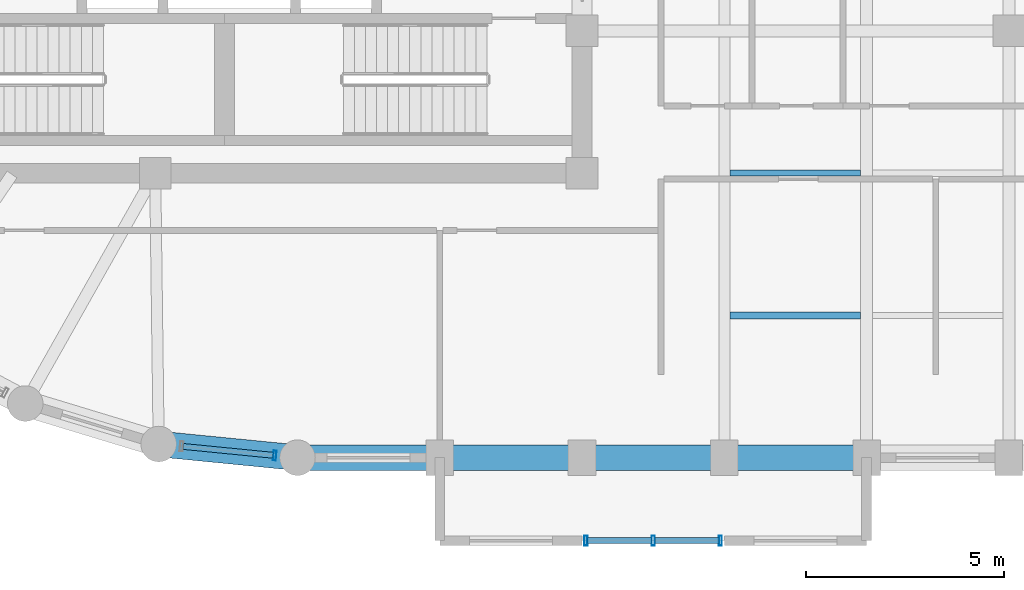
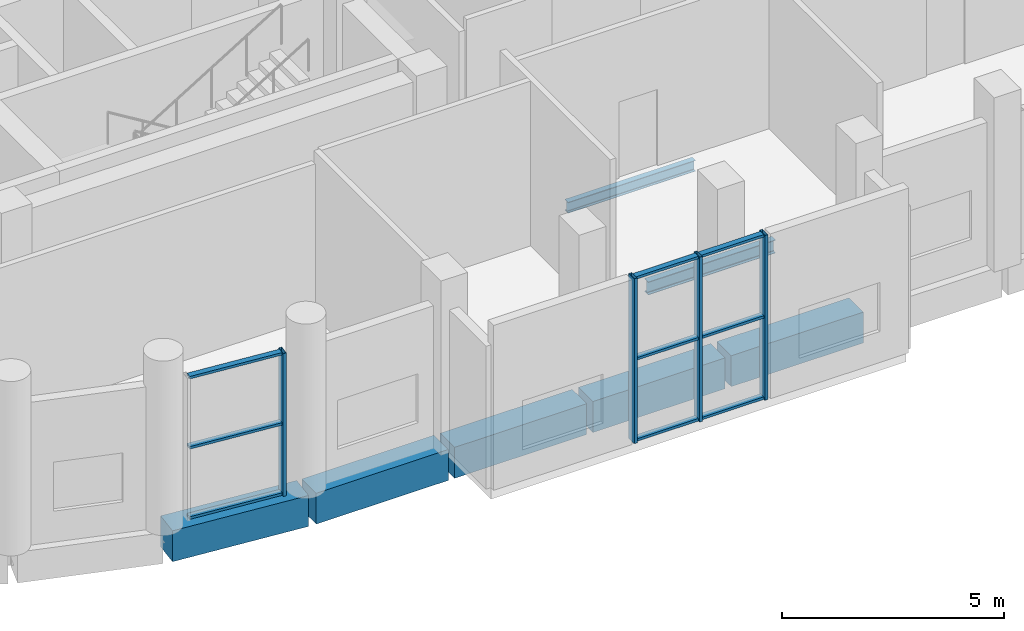
# One storey, part 3 of 16: 13 members, 7 beams, 2 elements without a shape of their own.
"""IFC4 building model written with IfcOpenShell, lengths in metres."""

from ifc_helpers import new_model, si_unit, direction, frame, origin, origin_2d, place, context, subcontext, project, spatial, rectangle, hollow_rectangle, i_section, extrude, material, layer, layer_set, material_profile, profile_set, type_object, element, aggregate, save


model = new_model("IFC4")

# Units and contexts
model_context = context("Model", 3, precision=1e-05, world=origin(), true_north=direction((0.0, 1.0)))
body_context = subcontext(model_context, "Body", "Model", "MODEL_VIEW")
ifc_project = project(units=[si_unit("LENGTHUNIT", "METRE"), si_unit("AREAUNIT", "SQUARE_METRE"), si_unit("VOLUMEUNIT", "CUBIC_METRE"), si_unit("PLANEANGLEUNIT", "RADIAN"), si_unit("MASSUNIT", "GRAM", prefix="KILO")], contexts=[model_context])

# Site, building, storey
site_placement = place(None, origin())
site = spatial("IfcSite", under=ifc_project, at=site_placement, CompositionType="ELEMENT")
building_placement = place(site_placement, origin())
building = spatial("IfcBuilding", under=site, at=building_placement, Name="Solnavia Interchange Tower", CompositionType="ELEMENT")
storey_placement = place(building_placement, frame((0.0, 0.0, 209.0)))
storey = spatial("IfcBuildingStorey", under=building, at=storey_placement, Name="L52", CompositionType="ELEMENT", Elevation=209.0)

# Beams
ifc_material_1 = material(Name="Steel S355", Category="steel")
ifc_material_profile_1 = material_profile(ifc_material_1, i_section(OverallWidth=0.14990234375, OverallDepth=0.300048828125, WebThickness=0.007080078125, FlangeThickness=0.0107421875, FilletRadius=0.014892578125, at=origin_2d()), Name="IPE 300")
ifc_profile_set_1 = profile_set([ifc_material_profile_1], Name="Steel S355")
beam_type_1 = type_object("IfcBeamType", Name="Beam-Joist-IPE300", PredefinedType="JOIST", material=ifc_profile_set_1)
beam_1_placement = place(storey_placement, frame((36.139892578125, 10.800048828125, -0.469970703125), z_axis=(1.0, 0.0, 0.0), x_axis=(0.0, 1.0, 0.0)))
element("IfcBeam", 1, at=beam_1_placement, inside=storey, type_object=beam_type_1, Name="JST-L52-E03 East wing secondary joist", PredefinedType="JOIST", context=body_context, shape_type="SweptSolid", body=[
    extrude(i_section(OverallWidth=0.14990234375, OverallDepth=0.300048828125, WebThickness=0.007080078125, FlangeThickness=0.0107421875, FilletRadius=0.014892578125, at=origin_2d()), origin(), (0.0, 0.0, 1.0), 3.31005859375),
])
ifc_material_profile_2 = material_profile(ifc_material_1, i_section(OverallWidth=0.169921875, OverallDepth=0.360107421875, WebThickness=0.008056640625, FlangeThickness=0.0126953125, FilletRadius=0.01806640625, at=origin_2d()), Name="IPE 360")
ifc_profile_set_2 = profile_set([ifc_material_profile_2], Name="Steel S355")
beam_type_2 = type_object("IfcBeamType", Name="Beam-Joist-IPE360", PredefinedType="JOIST", material=ifc_profile_set_2)
beam_2_placement = place(storey_placement, frame((36.139892578125, 7.199951171875, -0.5), z_axis=(1.0, 0.0, 0.0), x_axis=(0.0, 1.0, 0.0)))
element("IfcBeam", 2, at=beam_2_placement, inside=storey, type_object=beam_type_2, Name="JST-L52-E01 East wing secondary joist", PredefinedType="JOIST", context=body_context, shape_type="SweptSolid", body=[
    extrude(i_section(OverallWidth=0.169921875, OverallDepth=0.360107421875, WebThickness=0.008056640625, FlangeThickness=0.0126953125, FilletRadius=0.01806640625, at=origin_2d()), origin(), (0.0, 0.0, 1.0), 3.31005859375),
])
ifc_material_2 = material(Name="Concrete C50/60", Category="concrete")
ifc_material_profile_3 = material_profile(ifc_material_2, rectangle(XDim=0.64990234375, YDim=0.85009765625, at=origin_2d()), Name="RC 650x850")
ifc_profile_set_3 = profile_set([ifc_material_profile_3], Name="Concrete C50/60")
beam_type_3 = type_object("IfcBeamType", Name="Beam-Spandrel-RC650x850", PredefinedType="SPANDREL", material=ifc_profile_set_3)
beam_3_placement = place(storey_placement, frame((21.767578125, 3.938232421875, -0.425048828125), z_axis=(0.995181774609, -0.098047108501, 0.0), x_axis=(0.098047108501, 0.995181774609, 0.0)))
element("IfcBeam", 3, at=beam_3_placement, inside=storey, type_object=beam_type_3, Name="SPB-L52-08 Framed-tube perimeter spandrel beam", PredefinedType="SPANDREL", context=body_context, shape_type="SweptSolid", body=[
    extrude(rectangle(XDim=0.64990234375, YDim=0.85009765625, at=origin_2d()), origin(), (0.0, 0.0, 1.0), 3.368896484375),
])
beam_4_placement = place(storey_placement, frame((25.280029296875, 3.60009765625, -0.425048828125), z_axis=(1.0, 0.0, 0.0), x_axis=(0.0, 1.0, 0.0)))
element("IfcBeam", 4, at=beam_4_placement, inside=storey, type_object=beam_type_3, Name="SPB-L52-09 Framed-tube perimeter spandrel beam", PredefinedType="SPANDREL", context=body_context, shape_type="SweptSolid", body=[
    extrude(rectangle(XDim=0.64990234375, YDim=0.85009765625, at=origin_2d()), origin(), (0.0, 0.0, 1.0), 3.43994140625),
])
beam_5_placement = place(storey_placement, frame((28.8798828125, 3.60009765625, -0.425048828125), z_axis=(1.0, 0.0, 0.0), x_axis=(0.0, 1.0, 0.0)))
element("IfcBeam", 5, at=beam_5_placement, inside=storey, type_object=beam_type_3, Name="SPB-L52-10 Framed-tube perimeter spandrel beam", PredefinedType="SPANDREL", context=body_context, shape_type="SweptSolid", body=[
    extrude(rectangle(XDim=0.64990234375, YDim=0.85009765625, at=origin_2d()), origin(), (0.0, 0.0, 1.0), 3.440185546875),
])
for number, where, z_axis, x_axis, name in (
    (6, (32.47998046875, 3.60009765625, -0.425048828125), (1.0, 0.0, 0.0), (0.0, 1.0, 0.0), "SPB-L52-11 Framed-tube perimeter spandrel beam"),
    (7, (36.080078125, 3.60009765625, -0.425048828125), (1.0, 0.0, 0.0), (0.0, 1.0, 0.0), "SPB-L52-12 Framed-tube perimeter spandrel beam"),
):
    element("IfcBeam", number, at=place(storey_placement, frame(where, z_axis=z_axis, x_axis=x_axis)), inside=storey, type_object=beam_type_3, Name=name, PredefinedType="SPANDREL", context=body_context, shape_type="SweptSolid", body=[
        extrude(rectangle(XDim=0.64990234375, YDim=0.85009765625, at=origin_2d()), origin(), (0.0, 0.0, 1.0), 3.43994140625),
    ])

# Curtain wall, members
ifc_material_3 = material(Name="Aluminium Alloy 6063-T6", Category="aluminium")
ifc_layer = layer(ifc_material_3, 0.27001953125)
ifc_layer_set = layer_set([ifc_layer], Name="Aluminium Alloy 6063-T6")
curtain_wall_type = type_object("IfcCurtainWallType", Name="CurtainWall-SkyLobby-CTW4", PredefinedType="NOTDEFINED", material=ifc_layer_set)
curtain_wall_1_placement = place(storey_placement, origin())
curtain_wall_1 = element("IfcCurtainWall", 8, at=curtain_wall_1_placement, inside=storey, type_object=curtain_wall_type, Name="CTW-L52-S04 CTW-4 curtain wall", PredefinedType="NOTDEFINED")
ifc_material_profile_4 = material_profile(ifc_material_3, hollow_rectangle(XDim=0.080078125, YDim=0.25, WallThickness=0.006103515625, at=origin_2d()), Name="ALU 250x80x6")
ifc_profile_set_4 = profile_set([ifc_material_profile_4], Name="Aluminium Alloy 6063-T6")
member_type_1 = type_object("IfcMemberType", Name="CW-Mullion-CWM-4", PredefinedType="MULLION", material=ifc_profile_set_4)
member_1_placement = place(storey_placement, frame((32.5, 1.5, 0.0), z_axis=(0.0, 0.0, 1.0), x_axis=(1.0, 0.0, 0.0)))
member_1 = element("IfcMember", 9, at=member_1_placement, type_object=member_type_1, Name="CTW-4 mullion 1", PredefinedType="MULLION", context=body_context, shape_type="SweptSolid", body=[
    extrude(hollow_rectangle(XDim=0.080078125, YDim=0.25, WallThickness=0.006103515625, at=origin_2d()), origin(), (0.0, 0.0, 1.0), 4.534912109375),
])
member_2_placement = place(storey_placement, frame((34.199951171875, 1.5, 0.0), z_axis=(0.0, 0.0, 1.0), x_axis=(1.0, 0.0, 0.0)))
member_2 = element("IfcMember", 10, at=member_2_placement, type_object=member_type_1, Name="CTW-4 mullion 2", PredefinedType="MULLION", context=body_context, shape_type="SweptSolid", body=[
    extrude(hollow_rectangle(XDim=0.080078125, YDim=0.25, WallThickness=0.006103515625, at=origin_2d()), origin(), (0.0, 0.0, 1.0), 4.534912109375),
])
member_3_placement = place(storey_placement, frame((35.89990234375, 1.5, 0.0), z_axis=(0.0, 0.0, 1.0), x_axis=(1.0, 0.0, 0.0)))
member_3 = element("IfcMember", 11, at=member_3_placement, type_object=member_type_1, Name="CTW-4 mullion 3", PredefinedType="MULLION", context=body_context, shape_type="SweptSolid", body=[
    extrude(hollow_rectangle(XDim=0.080078125, YDim=0.25, WallThickness=0.006103515625, at=origin_2d()), origin(), (0.0, 0.0, 1.0), 4.534912109375),
])

# Curtain wall, member
curtain_wall_2_placement = place(storey_placement, origin())
curtain_wall_2 = element("IfcCurtainWall", 12, at=curtain_wall_2_placement, inside=storey, type_object=curtain_wall_type, Name="CTW-L52-S52 CTW-4 curtain wall", PredefinedType="NOTDEFINED")
member_4_placement = place(storey_placement, frame((24.622802734375, 3.65673828125, 0.0), z_axis=(0.0, 0.0, 1.0), x_axis=(0.995178481157, -0.098080531415, 0.0)))
member_4 = element("IfcMember", 13, at=member_4_placement, type_object=member_type_1, Name="CTW-4 mullion 2", PredefinedType="MULLION", context=body_context, shape_type="SweptSolid", body=[
    extrude(hollow_rectangle(XDim=0.080078125, YDim=0.25, WallThickness=0.006103515625, at=origin_2d()), origin(), (0.0, 0.0, 1.0), 3.929931640625),
])

# Member
ifc_material_profile_5 = material_profile(ifc_material_3, hollow_rectangle(XDim=0.070068359375, YDim=0.14990234375, WallThickness=0.00439453125, at=origin_2d()), Name="ALU 150x70x4.5")
ifc_profile_set_5 = profile_set([ifc_material_profile_5], Name="Aluminium Alloy 6063-T6")
member_type_2 = type_object("IfcMemberType", Name="CW-Transom-CWT-4", PredefinedType="USERDEFINED", material=ifc_profile_set_5)
member_5_placement = place(storey_placement, frame((32.5400390625, 1.5, 0.034912109375), z_axis=(1.0, 0.0, 0.0), x_axis=(0.0, 0.0, 1.0)))
member_5 = element("IfcMember", 14, at=member_5_placement, type_object=member_type_2, Name="CTW-4 transom 1.1", ObjectType="TRANSOM", PredefinedType="USERDEFINED", context=body_context, shape_type="SweptSolid", body=[
    extrude(hollow_rectangle(XDim=0.070068359375, YDim=0.14990234375, WallThickness=0.00439453125, at=origin_2d()), origin(), (0.0, 0.0, 1.0), 1.619873046875),
])

member_6_placement = place(storey_placement, frame((32.5400390625, 1.5, 2.26708984375), z_axis=(1.0, 0.0, 0.0), x_axis=(0.0, 0.0, 1.0)))
member_6 = element("IfcMember", 15, at=member_6_placement, type_object=member_type_2, Name="CTW-4 transom 1.2", ObjectType="TRANSOM", PredefinedType="USERDEFINED", context=body_context, shape_type="SweptSolid", body=[
    extrude(hollow_rectangle(XDim=0.070068359375, YDim=0.14990234375, WallThickness=0.00439453125, at=origin_2d()), origin(), (0.0, 0.0, 1.0), 1.619873046875),
])

member_7_placement = place(storey_placement, frame((32.5400390625, 1.5, 4.5), z_axis=(1.0, 0.0, 0.0), x_axis=(0.0, 0.0, 1.0)))
member_7 = element("IfcMember", 16, at=member_7_placement, type_object=member_type_2, Name="CTW-4 transom 1.3", ObjectType="TRANSOM", PredefinedType="USERDEFINED", context=body_context, shape_type="SweptSolid", body=[
    extrude(hollow_rectangle(XDim=0.070068359375, YDim=0.14990234375, WallThickness=0.00439453125, at=origin_2d()), origin(), (0.0, 0.0, 1.0), 1.619873046875),
])

member_8_placement = place(storey_placement, frame((34.239990234375, 1.5, 0.034912109375), z_axis=(1.0, 0.0, 0.0), x_axis=(0.0, 0.0, 1.0)))
member_8 = element("IfcMember", 17, at=member_8_placement, type_object=member_type_2, Name="CTW-4 transom 2.1", ObjectType="TRANSOM", PredefinedType="USERDEFINED", context=body_context, shape_type="SweptSolid", body=[
    extrude(hollow_rectangle(XDim=0.070068359375, YDim=0.14990234375, WallThickness=0.00439453125, at=origin_2d()), origin(), (0.0, 0.0, 1.0), 1.6201171875),
])

member_9_placement = place(storey_placement, frame((34.239990234375, 1.5, 2.26708984375), z_axis=(1.0, 0.0, 0.0), x_axis=(0.0, 0.0, 1.0)))
member_9 = element("IfcMember", 18, at=member_9_placement, type_object=member_type_2, Name="CTW-4 transom 2.2", ObjectType="TRANSOM", PredefinedType="USERDEFINED", context=body_context, shape_type="SweptSolid", body=[
    extrude(hollow_rectangle(XDim=0.070068359375, YDim=0.14990234375, WallThickness=0.00439453125, at=origin_2d()), origin(), (0.0, 0.0, 1.0), 1.6201171875),
])

member_10_placement = place(storey_placement, frame((34.239990234375, 1.5, 4.5), z_axis=(1.0, 0.0, 0.0), x_axis=(0.0, 0.0, 1.0)))
member_10 = element("IfcMember", 19, at=member_10_placement, type_object=member_type_2, Name="CTW-4 transom 2.3", ObjectType="TRANSOM", PredefinedType="USERDEFINED", context=body_context, shape_type="SweptSolid", body=[
    extrude(hollow_rectangle(XDim=0.070068359375, YDim=0.14990234375, WallThickness=0.00439453125, at=origin_2d()), origin(), (0.0, 0.0, 1.0), 1.6201171875),
])

aggregate(curtain_wall_1, [member_1, member_2, member_3, member_5, member_6, member_7, member_8, member_9, member_10])

member_11_placement = place(storey_placement, frame((22.304931640625, 3.88525390625, 0.034912109375), z_axis=(0.99517456013, -0.098120308147, 0.0), x_axis=(0.0, 0.0, 1.0)))
member_11 = element("IfcMember", 20, at=member_11_placement, type_object=member_type_2, Name="CTW-4 transom 1.1", ObjectType="TRANSOM", PredefinedType="USERDEFINED", context=body_context, shape_type="SweptSolid", body=[
    extrude(hollow_rectangle(XDim=0.070068359375, YDim=0.14990234375, WallThickness=0.00439453125, at=origin_2d()), origin(), (0.0, 0.0, 1.0), 2.2890625),
])

member_12_placement = place(storey_placement, frame((22.304931640625, 3.88525390625, 1.965087890625), z_axis=(0.99517456013, -0.098120308147, 0.0), x_axis=(0.0, 0.0, 1.0)))
member_12 = element("IfcMember", 21, at=member_12_placement, type_object=member_type_2, Name="CTW-4 transom 1.2", ObjectType="TRANSOM", PredefinedType="USERDEFINED", context=body_context, shape_type="SweptSolid", body=[
    extrude(hollow_rectangle(XDim=0.070068359375, YDim=0.14990234375, WallThickness=0.00439453125, at=origin_2d()), origin(), (0.0, 0.0, 1.0), 2.2890625),
])

member_13_placement = place(storey_placement, frame((22.304931640625, 3.88525390625, 3.89501953125), z_axis=(0.99517456013, -0.098120308147, 0.0), x_axis=(0.0, 0.0, 1.0)))
member_13 = element("IfcMember", 22, at=member_13_placement, type_object=member_type_2, Name="CTW-4 transom 1.3", ObjectType="TRANSOM", PredefinedType="USERDEFINED", context=body_context, shape_type="SweptSolid", body=[
    extrude(hollow_rectangle(XDim=0.070068359375, YDim=0.14990234375, WallThickness=0.00439453125, at=origin_2d()), origin(), (0.0, 0.0, 1.0), 2.2890625),
])

aggregate(curtain_wall_2, [member_4, member_11, member_12, member_13])

save(model, "model.ifc")
